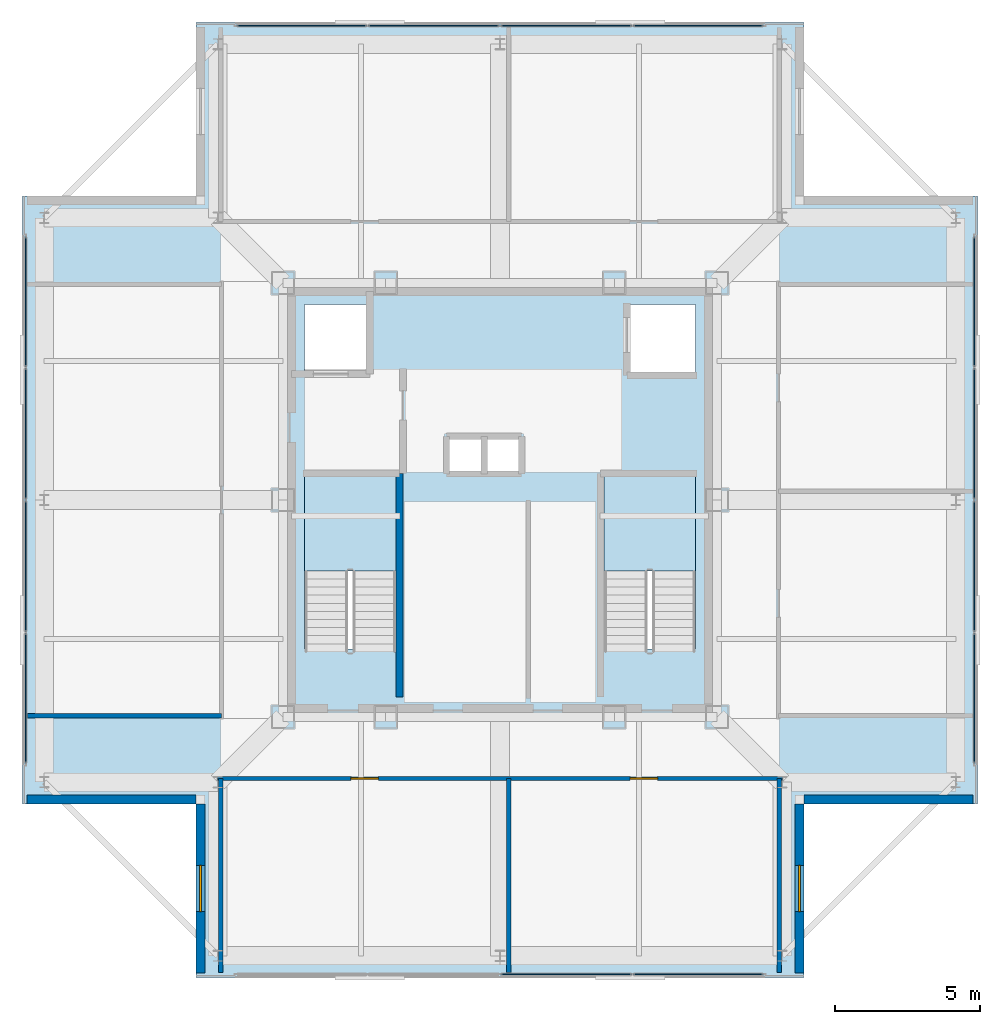
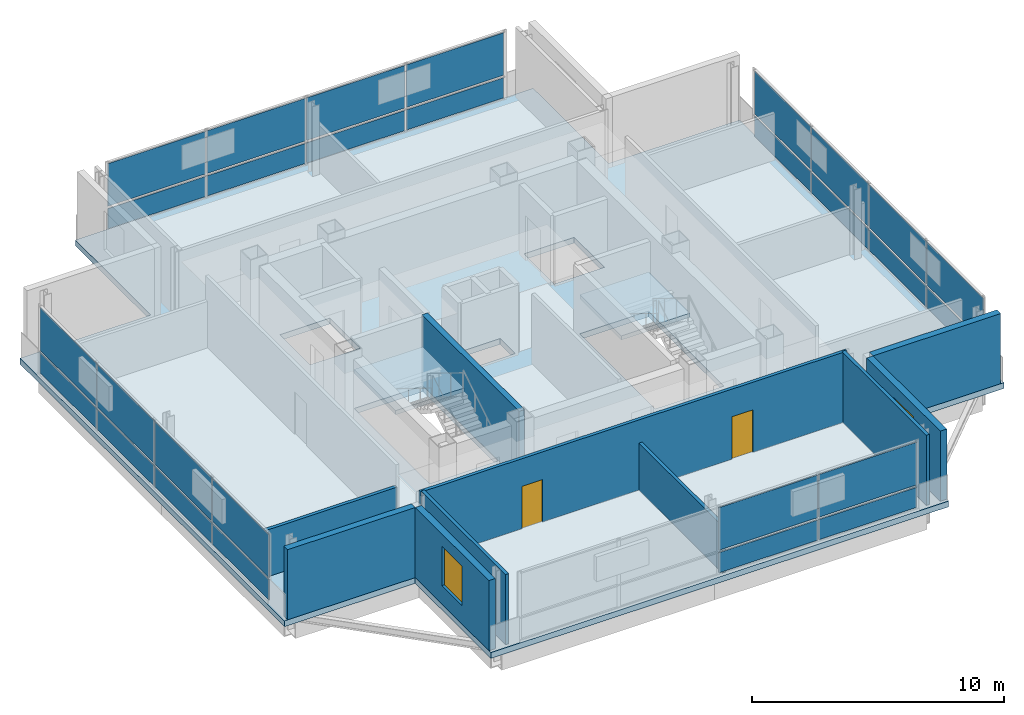
# One storey, part 7 of 11: 28 plates, 10 walls, 3 slabs, 2 doors, 2 windows, 4 openings, 6 elements without a shape of their own.
"""IFC4 building model written with IfcOpenShell, lengths in metres."""

from ifc_helpers import new_model, si_unit, direction, frame, frame_2d, origin, origin_2d, place, context, subcontext, project, spatial, polyline, rectangle, outline, extrude, material, layer, layer_set, type_object, element, fill, aggregate, save


model = new_model("IFC4")

# Units and contexts
model_context = context("Model", 3, precision=1e-05, world=origin(), true_north=direction((0.0, 1.0)))
body_context = subcontext(model_context, "Body", "Model", "MODEL_VIEW")
ifc_project = project(units=[si_unit("LENGTHUNIT", "METRE"), si_unit("AREAUNIT", "SQUARE_METRE"), si_unit("VOLUMEUNIT", "CUBIC_METRE"), si_unit("PLANEANGLEUNIT", "RADIAN"), si_unit("MASSUNIT", "GRAM", prefix="KILO")], contexts=[model_context])

# Site, building, storey
site_placement = place(None, origin())
site = spatial("IfcSite", under=ifc_project, at=site_placement, CompositionType="ELEMENT")
building_placement = place(site_placement, origin())
building = spatial("IfcBuilding", under=site, at=building_placement, Name="Trevonay Congress Spire", CompositionType="ELEMENT")
storey_placement = place(building_placement, frame((0.0, 0.0, 312.199951171875)))
storey = spatial("IfcBuildingStorey", under=building, at=storey_placement, Name="L82", CompositionType="ELEMENT", Elevation=312.199951171875)

# Curtain wall, plates
ifc_material_1 = material(Name="Pale Anodised Aluminium EN AW-6063-T6", Category="aluminium")
ifc_layer_1 = layer(ifc_material_1, 0.159912109375, Name="Pale Anodised Aluminium EN AW-6063-T6")
ifc_layer_set_1 = layer_set([ifc_layer_1], Name="Pale Anodised Aluminium EN AW-6063-T6")
curtain_wall_type = type_object("IfcCurtainWallType", Name="CW-SYS06-CROWN-PALE-METAL", PredefinedType="NOTDEFINED", material=ifc_layer_set_1)
curtain_wall_1_placement = place(storey_placement, origin())
curtain_wall_1 = element("IfcCurtainWall", 1, at=curtain_wall_1_placement, inside=storey, type_object=curtain_wall_type, Name="L82 S unitised curtain wall", PredefinedType="NOTDEFINED")
ifc_material_2 = material(Name="Insulated Low-E Vision Glass IGU", Category="glass")
ifc_layer_2 = layer(ifc_material_2, 0.035888671875, Name="Insulated Low-E Vision Glass IGU")
ifc_layer_set_2 = layer_set([ifc_layer_2], Name="Insulated Low-E Vision Glass IGU")
plate_type = type_object("IfcPlateType", Name="CW-PANEL-IGU36-SILVER", PredefinedType="CURTAIN_PANEL", material=ifc_layer_set_2)
plate_1_placement = place(storey_placement, frame((2.28759765625, -16.3798828125, 0.1201171875), z_axis=(0.0, 0.0, 1.0), x_axis=(1.0, 0.0, 0.0)))
plate_1 = element("IfcPlate", 2, at=plate_1_placement, type_object=plate_type, Name="CW06 panel 3.1", PredefinedType="CURTAIN_PANEL", context=body_context, shape_type="SweptSolid", body=[
    extrude(rectangle(XDim=4.514892578125, YDim=0.035888671875, at=origin_2d()), origin(), (0.0, 0.0, 1.0), 0.97607421875),
])
plate_2_placement = place(storey_placement, frame((2.28759765625, -16.3798828125, 1.216064453125), z_axis=(0.0, 0.0, 1.0), x_axis=(1.0, 0.0, 0.0)))
plate_2 = element("IfcPlate", 3, at=plate_2_placement, type_object=plate_type, Name="CW06 panel 3.2", PredefinedType="CURTAIN_PANEL", context=body_context, shape_type="SweptSolid", body=[
    extrude(rectangle(XDim=4.514892578125, YDim=0.035888671875, at=origin_2d()), origin(), (0.0, 0.0, 1.0), 2.06396484375),
])
plate_3_placement = place(storey_placement, frame((6.847412109375, -16.3798828125, 0.1201171875), z_axis=(0.0, 0.0, 1.0), x_axis=(1.0, 0.0, 0.0)))
plate_3 = element("IfcPlate", 4, at=plate_3_placement, type_object=plate_type, Name="CW06 panel 4.1", PredefinedType="CURTAIN_PANEL", context=body_context, shape_type="SweptSolid", body=[
    extrude(rectangle(XDim=4.485107421875, YDim=0.035888671875, at=origin_2d()), origin(), (0.0, 0.0, 1.0), 0.97607421875),
])
plate_4_placement = place(storey_placement, frame((6.847412109375, -16.3798828125, 1.216064453125), z_axis=(0.0, 0.0, 1.0), x_axis=(1.0, 0.0, 0.0)))
plate_4 = element("IfcPlate", 5, at=plate_4_placement, type_object=plate_type, Name="CW06 panel 4.2", PredefinedType="CURTAIN_PANEL", context=body_context, shape_type="SweptSolid", body=[
    extrude(rectangle(XDim=4.485107421875, YDim=0.035888671875, at=origin_2d()), origin(), (0.0, 0.0, 1.0), 2.06396484375),
])
aggregate(curtain_wall_1, [plate_1, plate_2, plate_3, plate_4])

curtain_wall_2_placement = place(storey_placement, origin())
curtain_wall_2 = element("IfcCurtainWall", 6, at=curtain_wall_2_placement, inside=storey, type_object=curtain_wall_type, Name="L82 N unitised curtain wall", PredefinedType="NOTDEFINED")
plate_5_placement = place(storey_placement, frame((-6.847412109375, 16.3798828125, 0.1201171875), z_axis=(0.0, 0.0, 1.0), x_axis=(1.0, 0.0, 0.0)))
plate_5 = element("IfcPlate", 7, at=plate_5_placement, type_object=plate_type, Name="CW06 panel 1.1", PredefinedType="CURTAIN_PANEL", context=body_context, shape_type="SweptSolid", body=[
    extrude(rectangle(XDim=4.485107421875, YDim=0.035888671875, at=origin_2d()), origin(), (0.0, 0.0, 1.0), 0.97607421875),
])
plate_6_placement = place(storey_placement, frame((-6.847412109375, 16.3798828125, 1.216064453125), z_axis=(0.0, 0.0, 1.0), x_axis=(1.0, 0.0, 0.0)))
plate_6 = element("IfcPlate", 8, at=plate_6_placement, type_object=plate_type, Name="CW06 panel 1.2", PredefinedType="CURTAIN_PANEL", context=body_context, shape_type="SweptSolid", body=[
    extrude(rectangle(XDim=4.485107421875, YDim=0.035888671875, at=origin_2d()), origin(), (0.0, 0.0, 1.0), 2.06396484375),
])
plate_7_placement = place(storey_placement, frame((-2.28759765625, 16.3798828125, 0.1201171875), z_axis=(0.0, 0.0, 1.0), x_axis=(1.0, 0.0, 0.0)))
plate_7 = element("IfcPlate", 9, at=plate_7_placement, type_object=plate_type, Name="CW06 panel 2.1", PredefinedType="CURTAIN_PANEL", context=body_context, shape_type="SweptSolid", body=[
    extrude(rectangle(XDim=4.514892578125, YDim=0.035888671875, at=origin_2d()), origin(), (0.0, 0.0, 1.0), 0.97607421875),
])
plate_8_placement = place(storey_placement, frame((-2.28759765625, 16.3798828125, 1.216064453125), z_axis=(0.0, 0.0, 1.0), x_axis=(1.0, 0.0, 0.0)))
plate_8 = element("IfcPlate", 10, at=plate_8_placement, type_object=plate_type, Name="CW06 panel 2.2", PredefinedType="CURTAIN_PANEL", context=body_context, shape_type="SweptSolid", body=[
    extrude(rectangle(XDim=4.514892578125, YDim=0.035888671875, at=origin_2d()), origin(), (0.0, 0.0, 1.0), 2.06396484375),
])
plate_9_placement = place(storey_placement, frame((2.28759765625, 16.3798828125, 0.1201171875), z_axis=(0.0, 0.0, 1.0), x_axis=(1.0, 0.0, 0.0)))
plate_9 = element("IfcPlate", 11, at=plate_9_placement, type_object=plate_type, Name="CW06 panel 3.1", PredefinedType="CURTAIN_PANEL", context=body_context, shape_type="SweptSolid", body=[
    extrude(rectangle(XDim=4.514892578125, YDim=0.035888671875, at=origin_2d()), origin(), (0.0, 0.0, 1.0), 0.97607421875),
])
plate_10_placement = place(storey_placement, frame((2.28759765625, 16.3798828125, 1.216064453125), z_axis=(0.0, 0.0, 1.0), x_axis=(1.0, 0.0, 0.0)))
plate_10 = element("IfcPlate", 12, at=plate_10_placement, type_object=plate_type, Name="CW06 panel 3.2", PredefinedType="CURTAIN_PANEL", context=body_context, shape_type="SweptSolid", body=[
    extrude(rectangle(XDim=4.514892578125, YDim=0.035888671875, at=origin_2d()), origin(), (0.0, 0.0, 1.0), 2.06396484375),
])
plate_11_placement = place(storey_placement, frame((6.847412109375, 16.3798828125, 0.1201171875), z_axis=(0.0, 0.0, 1.0), x_axis=(1.0, 0.0, 0.0)))
plate_11 = element("IfcPlate", 13, at=plate_11_placement, type_object=plate_type, Name="CW06 panel 4.1", PredefinedType="CURTAIN_PANEL", context=body_context, shape_type="SweptSolid", body=[
    extrude(rectangle(XDim=4.485107421875, YDim=0.035888671875, at=origin_2d()), origin(), (0.0, 0.0, 1.0), 0.97607421875),
])
plate_12_placement = place(storey_placement, frame((6.847412109375, 16.3798828125, 1.216064453125), z_axis=(0.0, 0.0, 1.0), x_axis=(1.0, 0.0, 0.0)))
plate_12 = element("IfcPlate", 14, at=plate_12_placement, type_object=plate_type, Name="CW06 panel 4.2", PredefinedType="CURTAIN_PANEL", context=body_context, shape_type="SweptSolid", body=[
    extrude(rectangle(XDim=4.485107421875, YDim=0.035888671875, at=origin_2d()), origin(), (0.0, 0.0, 1.0), 2.06396484375),
])
aggregate(curtain_wall_2, [plate_5, plate_6, plate_7, plate_8, plate_9, plate_10, plate_11, plate_12])

curtain_wall_3_placement = place(storey_placement, origin())
curtain_wall_3 = element("IfcCurtainWall", 15, at=curtain_wall_3_placement, inside=storey, type_object=curtain_wall_type, Name="L82 W unitised curtain wall", PredefinedType="NOTDEFINED")
plate_13_placement = place(storey_placement, frame((-16.3798828125, -6.847412109375, 0.1201171875), z_axis=(0.0, 0.0, 1.0), x_axis=(0.0, 1.0, 0.0)))
plate_13 = element("IfcPlate", 16, at=plate_13_placement, type_object=plate_type, Name="CW06 panel 1.1", PredefinedType="CURTAIN_PANEL", context=body_context, shape_type="SweptSolid", body=[
    extrude(rectangle(XDim=4.485107421875, YDim=0.035888671875, at=origin_2d()), origin(), (0.0, 0.0, 1.0), 0.97607421875),
])
plate_14_placement = place(storey_placement, frame((-16.3798828125, -6.847412109375, 1.216064453125), z_axis=(0.0, 0.0, 1.0), x_axis=(0.0, 1.0, 0.0)))
plate_14 = element("IfcPlate", 17, at=plate_14_placement, type_object=plate_type, Name="CW06 panel 1.2", PredefinedType="CURTAIN_PANEL", context=body_context, shape_type="SweptSolid", body=[
    extrude(rectangle(XDim=4.485107421875, YDim=0.035888671875, at=origin_2d()), origin(), (0.0, 0.0, 1.0), 2.06396484375),
])
plate_15_placement = place(storey_placement, frame((-16.3798828125, -2.28759765625, 0.1201171875), z_axis=(0.0, 0.0, 1.0), x_axis=(0.0, 1.0, 0.0)))
plate_15 = element("IfcPlate", 18, at=plate_15_placement, type_object=plate_type, Name="CW06 panel 2.1", PredefinedType="CURTAIN_PANEL", context=body_context, shape_type="SweptSolid", body=[
    extrude(rectangle(XDim=4.514892578125, YDim=0.035888671875, at=origin_2d()), origin(), (0.0, 0.0, 1.0), 0.97607421875),
])
plate_16_placement = place(storey_placement, frame((-16.3798828125, -2.28759765625, 1.216064453125), z_axis=(0.0, 0.0, 1.0), x_axis=(0.0, 1.0, 0.0)))
plate_16 = element("IfcPlate", 19, at=plate_16_placement, type_object=plate_type, Name="CW06 panel 2.2", PredefinedType="CURTAIN_PANEL", context=body_context, shape_type="SweptSolid", body=[
    extrude(rectangle(XDim=4.514892578125, YDim=0.035888671875, at=origin_2d()), origin(), (0.0, 0.0, 1.0), 2.06396484375),
])
plate_17_placement = place(storey_placement, frame((-16.3798828125, 2.28759765625, 0.1201171875), z_axis=(0.0, 0.0, 1.0), x_axis=(0.0, 1.0, 0.0)))
plate_17 = element("IfcPlate", 20, at=plate_17_placement, type_object=plate_type, Name="CW06 panel 3.1", PredefinedType="CURTAIN_PANEL", context=body_context, shape_type="SweptSolid", body=[
    extrude(rectangle(XDim=4.514892578125, YDim=0.035888671875, at=origin_2d()), origin(), (0.0, 0.0, 1.0), 0.97607421875),
])
plate_18_placement = place(storey_placement, frame((-16.3798828125, 2.28759765625, 1.216064453125), z_axis=(0.0, 0.0, 1.0), x_axis=(0.0, 1.0, 0.0)))
plate_18 = element("IfcPlate", 21, at=plate_18_placement, type_object=plate_type, Name="CW06 panel 3.2", PredefinedType="CURTAIN_PANEL", context=body_context, shape_type="SweptSolid", body=[
    extrude(rectangle(XDim=4.514892578125, YDim=0.035888671875, at=origin_2d()), origin(), (0.0, 0.0, 1.0), 2.06396484375),
])
plate_19_placement = place(storey_placement, frame((-16.3798828125, 6.847412109375, 0.1201171875), z_axis=(0.0, 0.0, 1.0), x_axis=(0.0, 1.0, 0.0)))
plate_19 = element("IfcPlate", 22, at=plate_19_placement, type_object=plate_type, Name="CW06 panel 4.1", PredefinedType="CURTAIN_PANEL", context=body_context, shape_type="SweptSolid", body=[
    extrude(rectangle(XDim=4.485107421875, YDim=0.035888671875, at=origin_2d()), origin(), (0.0, 0.0, 1.0), 0.97607421875),
])
plate_20_placement = place(storey_placement, frame((-16.3798828125, 6.847412109375, 1.216064453125), z_axis=(0.0, 0.0, 1.0), x_axis=(0.0, 1.0, 0.0)))
plate_20 = element("IfcPlate", 23, at=plate_20_placement, type_object=plate_type, Name="CW06 panel 4.2", PredefinedType="CURTAIN_PANEL", context=body_context, shape_type="SweptSolid", body=[
    extrude(rectangle(XDim=4.485107421875, YDim=0.035888671875, at=origin_2d()), origin(), (0.0, 0.0, 1.0), 2.06396484375),
])
aggregate(curtain_wall_3, [plate_13, plate_14, plate_15, plate_16, plate_17, plate_18, plate_19, plate_20])

curtain_wall_4_placement = place(storey_placement, origin())
curtain_wall_4 = element("IfcCurtainWall", 24, at=curtain_wall_4_placement, inside=storey, type_object=curtain_wall_type, Name="L82 E unitised curtain wall", PredefinedType="NOTDEFINED")
plate_21_placement = place(storey_placement, frame((16.3798828125, -6.847412109375, 0.1201171875), z_axis=(0.0, 0.0, 1.0), x_axis=(0.0, 1.0, 0.0)))
plate_21 = element("IfcPlate", 25, at=plate_21_placement, type_object=plate_type, Name="CW06 panel 1.1", PredefinedType="CURTAIN_PANEL", context=body_context, shape_type="SweptSolid", body=[
    extrude(rectangle(XDim=4.485107421875, YDim=0.035888671875, at=origin_2d()), origin(), (0.0, 0.0, 1.0), 0.97607421875),
])
plate_22_placement = place(storey_placement, frame((16.3798828125, -6.847412109375, 1.216064453125), z_axis=(0.0, 0.0, 1.0), x_axis=(0.0, 1.0, 0.0)))
plate_22 = element("IfcPlate", 26, at=plate_22_placement, type_object=plate_type, Name="CW06 panel 1.2", PredefinedType="CURTAIN_PANEL", context=body_context, shape_type="SweptSolid", body=[
    extrude(rectangle(XDim=4.485107421875, YDim=0.035888671875, at=origin_2d()), origin(), (0.0, 0.0, 1.0), 2.06396484375),
])
plate_23_placement = place(storey_placement, frame((16.3798828125, -2.28759765625, 0.1201171875), z_axis=(0.0, 0.0, 1.0), x_axis=(0.0, 1.0, 0.0)))
plate_23 = element("IfcPlate", 27, at=plate_23_placement, type_object=plate_type, Name="CW06 panel 2.1", PredefinedType="CURTAIN_PANEL", context=body_context, shape_type="SweptSolid", body=[
    extrude(rectangle(XDim=4.514892578125, YDim=0.035888671875, at=origin_2d()), origin(), (0.0, 0.0, 1.0), 0.97607421875),
])
plate_24_placement = place(storey_placement, frame((16.3798828125, -2.28759765625, 1.216064453125), z_axis=(0.0, 0.0, 1.0), x_axis=(0.0, 1.0, 0.0)))
plate_24 = element("IfcPlate", 28, at=plate_24_placement, type_object=plate_type, Name="CW06 panel 2.2", PredefinedType="CURTAIN_PANEL", context=body_context, shape_type="SweptSolid", body=[
    extrude(rectangle(XDim=4.514892578125, YDim=0.035888671875, at=origin_2d()), origin(), (0.0, 0.0, 1.0), 2.06396484375),
])
plate_25_placement = place(storey_placement, frame((16.3798828125, 2.28759765625, 0.1201171875), z_axis=(0.0, 0.0, 1.0), x_axis=(0.0, 1.0, 0.0)))
plate_25 = element("IfcPlate", 29, at=plate_25_placement, type_object=plate_type, Name="CW06 panel 3.1", PredefinedType="CURTAIN_PANEL", context=body_context, shape_type="SweptSolid", body=[
    extrude(rectangle(XDim=4.514892578125, YDim=0.035888671875, at=origin_2d()), origin(), (0.0, 0.0, 1.0), 0.97607421875),
])
plate_26_placement = place(storey_placement, frame((16.3798828125, 2.28759765625, 1.216064453125), z_axis=(0.0, 0.0, 1.0), x_axis=(0.0, 1.0, 0.0)))
plate_26 = element("IfcPlate", 30, at=plate_26_placement, type_object=plate_type, Name="CW06 panel 3.2", PredefinedType="CURTAIN_PANEL", context=body_context, shape_type="SweptSolid", body=[
    extrude(rectangle(XDim=4.514892578125, YDim=0.035888671875, at=origin_2d()), origin(), (0.0, 0.0, 1.0), 2.06396484375),
])
plate_27_placement = place(storey_placement, frame((16.3798828125, 6.847412109375, 0.1201171875), z_axis=(0.0, 0.0, 1.0), x_axis=(0.0, 1.0, 0.0)))
plate_27 = element("IfcPlate", 31, at=plate_27_placement, type_object=plate_type, Name="CW06 panel 4.1", PredefinedType="CURTAIN_PANEL", context=body_context, shape_type="SweptSolid", body=[
    extrude(rectangle(XDim=4.485107421875, YDim=0.035888671875, at=origin_2d()), origin(), (0.0, 0.0, 1.0), 0.97607421875),
])
plate_28_placement = place(storey_placement, frame((16.3798828125, 6.847412109375, 1.216064453125), z_axis=(0.0, 0.0, 1.0), x_axis=(0.0, 1.0, 0.0)))
plate_28 = element("IfcPlate", 32, at=plate_28_placement, type_object=plate_type, Name="CW06 panel 4.2", PredefinedType="CURTAIN_PANEL", context=body_context, shape_type="SweptSolid", body=[
    extrude(rectangle(XDim=4.485107421875, YDim=0.035888671875, at=origin_2d()), origin(), (0.0, 0.0, 1.0), 2.06396484375),
])
aggregate(curtain_wall_4, [plate_21, plate_22, plate_23, plate_24, plate_25, plate_26, plate_27, plate_28])

# Slab
ifc_material_3 = material(Name="Concrete C40/50", Category="concrete")
ifc_layer_3 = layer(ifc_material_3, 0.280029296875, Name="Concrete C40/50")
ifc_layer_set_3 = layer_set([ifc_layer_3], Name="Concrete C40/50")
slab_type_1 = type_object("IfcSlabType", Name="SLB-CROWN-280", PredefinedType="FLOOR", material=ifc_layer_set_3)
slab_1_placement = place(storey_placement, frame((0.0, 0.0, -0.280029296875)))
element("IfcSlab", 33, at=slab_1_placement, inside=storey, type_object=slab_type_1, Name="L82 structural floor slab", PredefinedType="FLOOR", context=body_context, shape_type="SweptSolid", body=[
    extrude(outline(polyline([(-10.5, -16.5), (10.5, -16.5), (10.5, -10.5), (16.5, -10.5), (16.5, 10.5), (10.5, 10.5), (10.5, 16.5), (-10.5, 16.5), (-10.5, 10.5), (-16.5, 10.5), (-16.5, -10.5), (-10.5, -10.5), (-10.5, -16.5)]), holes=[polyline([(-3.60009765625, -5.14990234375), (-3.60009765625, 0.85009765625), (-6.75, 0.85009765625), (-6.75, -5.14990234375), (-3.60009765625, -5.14990234375)]), polyline([(6.75, -5.14990234375), (6.75, 0.85009765625), (3.60009765625, 0.85009765625), (3.60009765625, -5.14990234375), (6.75, -5.14990234375)]), polyline([(-6.75, 4.35009765625), (-4.449951171875, 4.35009765625), (-4.449951171875, 6.75), (-6.75, 6.75), (-6.75, 4.35009765625)]), polyline([(4.449951171875, 4.35009765625), (6.75, 4.35009765625), (6.75, 6.75), (4.449951171875, 6.75), (4.449951171875, 4.35009765625)]), polyline([(-1.800048828125, 0.949951171875), (0.699951171875, 0.949951171875), (0.699951171875, 2.14990234375), (-1.800048828125, 2.14990234375), (-1.800048828125, 0.949951171875)])]), origin(), (0.0, 0.0, 1.0), 0.280029296875),
])

# Stair, slab
stair_type_1 = type_object("IfcStairType", Name="STR-ST-1", PredefinedType="HALF_TURN_STAIR", material=ifc_material_3)
stair_1_placement = place(storey_placement, origin())
stair_1 = element("IfcStair", 34, at=stair_1_placement, inside=storey, type_object=stair_type_1, Name="L82 Protected Exit Stair ST-1", PredefinedType="HALF_TURN_STAIR")
ifc_layer_4 = layer(ifc_material_3, 0.199951171875, Name="Concrete C40/50")
ifc_layer_set_4 = layer_set([ifc_layer_4], Name="Concrete C40/50")
slab_type_2 = type_object("IfcSlabType", Name="SLB-STAIR-LAND-200", PredefinedType="LANDING", material=ifc_layer_set_4)
slab_2_placement = place(storey_placement, frame((0.0, 0.0, 1.699951171875)))
slab_2 = element("IfcSlab", 35, at=slab_2_placement, type_object=slab_type_2, Name="ST-1 landing 1", PredefinedType="LANDING", context=body_context, shape_type="SweptSolid", body=[
    extrude(outline(polyline([(-3.60009765625, -2.449951171875), (-3.60009765625, 0.85009765625), (-6.75, 0.85009765625), (-6.75, -2.449951171875), (-3.60009765625, -2.449951171875)])), origin(), (0.0, 0.0, 1.0), 0.2001953125),
])
aggregate(stair_1, [slab_2])

stair_type_2 = type_object("IfcStairType", Name="STR-ST-2", PredefinedType="HALF_TURN_STAIR", material=ifc_material_3)
stair_2_placement = place(storey_placement, origin())
stair_2 = element("IfcStair", 36, at=stair_2_placement, inside=storey, type_object=stair_type_2, Name="L82 Protected Exit Stair ST-2", PredefinedType="HALF_TURN_STAIR")
slab_3_placement = place(storey_placement, frame((0.0, 0.0, 1.699951171875)))
slab_3 = element("IfcSlab", 37, at=slab_3_placement, type_object=slab_type_2, Name="ST-2 landing 1", PredefinedType="LANDING", context=body_context, shape_type="SweptSolid", body=[
    extrude(outline(polyline([(6.75, -2.449951171875), (6.75, 0.85009765625), (3.60009765625, 0.85009765625), (3.60009765625, -2.449951171875), (6.75, -2.449951171875)])), origin(), (0.0, 0.0, 1.0), 0.2001953125),
])
aggregate(stair_2, [slab_3])

# Wall, openings, doors
ifc_layer_5 = layer(ifc_material_3, 0.14990234375, Name="Concrete C40/50")
ifc_layer_set_5 = layer_set([ifc_layer_5], Name="Concrete C40/50")
wall_type_1 = type_object("IfcWallType", Name="WAL-CORR-150", PredefinedType="PARTITIONING", material=ifc_layer_set_5)
wall_1_placement = place(storey_placement, frame((-9.77001953125, -9.6201171875, 0.0), z_axis=(0.0, 0.0, 1.0), x_axis=(1.0, 0.0, 0.0)))
wall_1 = element("IfcWall", 38, at=wall_1_placement, inside=storey, type_object=wall_type_1, Name="L82 interior wall WP-L82S-COR", PredefinedType="PARTITIONING", context=body_context, shape_type="SweptSolid", body=[
    extrude(rectangle(XDim=19.5400390625, YDim=0.14990234375, at=frame_2d((9.77001953125, 0.0))), origin(), (0.0, 0.0, 1.0), 3.400146484375),
])
opening_1_placement = place(wall_1_placement, frame((4.6201171875, 0.0, 0.0)))
opening_1 = element("IfcOpeningElement", 39, at=opening_1_placement, cuts=wall_1, Name="Opening D07", PredefinedType="OPENING", context=body_context, shape_type="SweptSolid", body=[
    extrude(rectangle(XDim=0.949951171875, YDim=2.06005859375, at=frame_2d((0.47509765625, 1.030029296875))), frame((0.0, 0.0849609375, 0.0), z_axis=(0.0, -1.0, 0.0), x_axis=(1.0, 0.0, 0.0)), (0.0, 0.0, 1.0), 0.169921875),
])
opening_2_placement = place(wall_1_placement, frame((14.27001953125, 0.0, 0.0)))
opening_2 = element("IfcOpeningElement", 40, at=opening_2_placement, cuts=wall_1, Name="Opening D07", PredefinedType="OPENING", context=body_context, shape_type="SweptSolid", body=[
    extrude(rectangle(XDim=0.949951171875, YDim=2.06005859375, at=frame_2d((0.47509765625, 1.030029296875))), frame((0.0, 0.0849609375, 0.0), z_axis=(0.0, -1.0, 0.0), x_axis=(1.0, 0.0, 0.0)), (0.0, 0.0, 1.0), 0.169921875),
])
door_type = type_object("IfcDoorType", Name="DOR-OFFICE-95", OperationType="NOTDEFINED", PredefinedType="DOOR", material=ifc_material_1)
door_1_placement = place(opening_1_placement, origin())
door_1 = element("IfcDoor", 41, at=door_1_placement, inside=storey, type_object=door_type, Name="L82 Tuned Mass Damper Chamber South Door", OperationType="SINGLE_SWING_LEFT", OverallHeight=2.06005859375, OverallWidth=0.949951171875, PredefinedType="DOOR", context=body_context, shape_type="SweptSolid", body=[
    extrude(rectangle(XDim=0.949951171875, YDim=2.06005859375, at=frame_2d((0.47509765625, 1.030029296875))), frame((0.0, 0.02490234375, 0.0), z_axis=(0.0, -1.0, 0.0), x_axis=(1.0, 0.0, 0.0)), (0.0, 0.0, 1.0), 0.050048828125),
])
fill(opening_1, door_1)
door_2_placement = place(opening_2_placement, origin())
door_2 = element("IfcDoor", 42, at=door_2_placement, inside=storey, type_object=door_type, Name="L82 Damper Hydraulic Control Plant Door", OperationType="SINGLE_SWING_RIGHT", OverallHeight=2.06005859375, OverallWidth=0.949951171875, PredefinedType="DOOR", context=body_context, shape_type="SweptSolid", body=[
    extrude(rectangle(XDim=0.949951171875, YDim=2.06005859375, at=frame_2d((0.47509765625, 1.030029296875))), frame((0.0, 0.02490234375, 0.0), z_axis=(0.0, -1.0, 0.0), x_axis=(1.0, 0.0, 0.0)), (0.0, 0.0, 1.0), 0.050048828125),
])
fill(opening_2, door_2)

# Wall, opening, window
ifc_material_4 = material(Name="Precast concrete C40/50", Category="concrete")
ifc_layer_6 = layer(ifc_material_4, 0.300048828125, Name="Precast concrete C40/50")
ifc_layer_set_6 = layer_set([ifc_layer_6], Name="Precast concrete C40/50")
wall_type_2 = type_object("IfcWallType", Name="WAL-EXT-PRECAST-300", PredefinedType="SOLIDWALL", material=ifc_layer_set_6)
wall_2_placement = place(storey_placement, frame((-10.35009765625, -16.35009765625, 0.0), z_axis=(0.0, 0.0, 1.0), x_axis=(0.0, 1.0, 0.0)))
wall_2 = element("IfcWall", 43, at=wall_2_placement, inside=storey, type_object=wall_type_2, Name="L82 SW re-entrant notch exterior wall 1", PredefinedType="SOLIDWALL", context=body_context, shape_type="SweptSolid", body=[
    extrude(rectangle(XDim=5.85009765625, YDim=0.300048828125, at=frame_2d((2.925048828125, 0.0))), origin(), (0.0, 0.0, 1.0), 3.400146484375),
])
opening_3_placement = place(wall_2_placement, frame((2.125, 0.0, 0.89990234375)))
opening_3 = element("IfcOpeningElement", 44, at=opening_3_placement, cuts=wall_2, Name="Opening WN04", PredefinedType="OPENING", context=body_context, shape_type="SweptSolid", body=[
    extrude(rectangle(XDim=1.60009765625, YDim=1.89990234375, at=frame_2d((0.800048828125, 0.949951171875))), frame((0.0, 0.16015625, 0.0), z_axis=(0.0, -1.0, 0.0), x_axis=(1.0, 0.0, 0.0)), (0.0, 0.0, 1.0), 0.320068359375),
])
window_type = type_object("IfcWindowType", Name="WIN-CROWN-160X190", PartitioningType="SINGLE_PANEL", PredefinedType="WINDOW", material=ifc_material_2)
window_1_placement = place(opening_3_placement, origin())
window_1 = element("IfcWindow", 45, at=window_1_placement, inside=storey, type_object=window_type, Name="L82 SW corner notch window", OverallHeight=1.89990234375, OverallWidth=1.60009765625, PartitioningType="SINGLE_PANEL", PredefinedType="WINDOW", context=body_context, shape_type="SweptSolid", body=[
    extrude(rectangle(XDim=1.60009765625, YDim=1.89990234375, at=frame_2d((0.800048828125, 0.949951171875))), frame((0.0, 0.030029296875, 0.0), z_axis=(0.0, -1.0, 0.0), x_axis=(1.0, 0.0, 0.0)), (0.0, 0.0, 1.0), 0.06005859375),
])
fill(opening_3, window_1)

# Wall
wall_3_placement = place(storey_placement, frame((-16.35009765625, -10.35009765625, 0.0), z_axis=(0.0, 0.0, 1.0), x_axis=(1.0, 0.0, 0.0)))
element("IfcWall", 46, at=wall_3_placement, inside=storey, type_object=wall_type_2, Name="L82 SW re-entrant notch exterior wall 2", PredefinedType="SOLIDWALL", context=body_context, shape_type="SweptSolid", body=[
    extrude(rectangle(XDim=5.85009765625, YDim=0.300048828125, at=frame_2d((2.925048828125, 0.0))), origin(), (0.0, 0.0, 1.0), 3.400146484375),
])

# Wall, opening, window
wall_4_placement = place(storey_placement, frame((10.35009765625, -16.35009765625, 0.0), z_axis=(0.0, 0.0, 1.0), x_axis=(0.0, 1.0, 0.0)))
wall_4 = element("IfcWall", 47, at=wall_4_placement, inside=storey, type_object=wall_type_2, Name="L82 SE re-entrant notch exterior wall 1", PredefinedType="SOLIDWALL", context=body_context, shape_type="SweptSolid", body=[
    extrude(rectangle(XDim=5.85009765625, YDim=0.300048828125, at=frame_2d((2.925048828125, 0.0))), origin(), (0.0, 0.0, 1.0), 3.400146484375),
])
opening_4_placement = place(wall_4_placement, frame((2.125, 0.0, 0.89990234375)))
opening_4 = element("IfcOpeningElement", 48, at=opening_4_placement, cuts=wall_4, Name="Opening WN04", PredefinedType="OPENING", context=body_context, shape_type="SweptSolid", body=[
    extrude(rectangle(XDim=1.60009765625, YDim=1.89990234375, at=frame_2d((0.800048828125, 0.949951171875))), frame((0.0, 0.16015625, 0.0), z_axis=(0.0, -1.0, 0.0), x_axis=(1.0, 0.0, 0.0)), (0.0, 0.0, 1.0), 0.320068359375),
])
window_2_placement = place(opening_4_placement, origin())
window_2 = element("IfcWindow", 49, at=window_2_placement, inside=storey, type_object=window_type, Name="L82 SE corner notch window", OverallHeight=1.89990234375, OverallWidth=1.60009765625, PartitioningType="SINGLE_PANEL", PredefinedType="WINDOW", context=body_context, shape_type="SweptSolid", body=[
    extrude(rectangle(XDim=1.60009765625, YDim=1.89990234375, at=frame_2d((0.800048828125, 0.949951171875))), frame((0.0, 0.030029296875, 0.0), z_axis=(0.0, -1.0, 0.0), x_axis=(1.0, 0.0, 0.0)), (0.0, 0.0, 1.0), 0.06005859375),
])
fill(opening_4, window_2)

# Walls
wall_5_placement = place(storey_placement, frame((16.35009765625, -10.35009765625, 0.0), z_axis=(0.0, 0.0, 1.0), x_axis=(-1.0, 0.0, 0.0)))
element("IfcWall", 50, at=wall_5_placement, inside=storey, type_object=wall_type_2, Name="L82 SE re-entrant notch exterior wall 2", PredefinedType="SOLIDWALL", context=body_context, shape_type="SweptSolid", body=[
    extrude(rectangle(XDim=5.85009765625, YDim=0.300048828125, at=frame_2d((2.925048828125, 0.0))), origin(), (0.0, 0.0, 1.0), 3.400146484375),
])
ifc_layer_7 = layer(ifc_material_3, 0.14990234375, Name="Concrete C40/50")
ifc_layer_set_7 = layer_set([ifc_layer_7], Name="Concrete C40/50")
wall_type_3 = type_object("IfcWallType", Name="WAL-PART-150", PredefinedType="PARTITIONING", material=ifc_layer_set_7)
wall_6_placement = place(storey_placement, frame((-9.64990234375, -16.320068359375, 0.0), z_axis=(0.0, 0.0, 1.0), x_axis=(0.0, 1.0, 0.0)))
element("IfcWall", 51, at=wall_6_placement, inside=storey, type_object=wall_type_3, Name="L82 interior wall WP-L82S-DIV1", PredefinedType="PARTITIONING", context=body_context, shape_type="SweptSolid", body=[
    extrude(rectangle(XDim=6.699951171875, YDim=0.14990234375, at=frame_2d((3.35009765625, 0.0))), origin(), (0.0, 0.0, 1.0), 3.400146484375),
])
wall_7_placement = place(storey_placement, frame((0.300048828125, -16.320068359375, 0.0), z_axis=(0.0, 0.0, 1.0), x_axis=(0.0, 1.0, 0.0)))
element("IfcWall", 52, at=wall_7_placement, inside=storey, type_object=wall_type_3, Name="L82 interior wall WP-L82S-DIV2", PredefinedType="PARTITIONING", context=body_context, shape_type="SweptSolid", body=[
    extrude(rectangle(XDim=6.699951171875, YDim=0.14990234375, at=frame_2d((3.35009765625, 0.0))), origin(), (0.0, 0.0, 1.0), 2.275146484375),
])
wall_8_placement = place(storey_placement, frame((9.64990234375, -16.320068359375, 0.0), z_axis=(0.0, 0.0, 1.0), x_axis=(0.0, 1.0, 0.0)))
element("IfcWall", 53, at=wall_8_placement, inside=storey, type_object=wall_type_3, Name="L82 interior wall WP-L82S-DIV3", PredefinedType="PARTITIONING", context=body_context, shape_type="SweptSolid", body=[
    extrude(rectangle(XDim=6.699951171875, YDim=0.14990234375, at=frame_2d((3.35009765625, 0.0))), origin(), (0.0, 0.0, 1.0), 3.400146484375),
])
wall_9_placement = place(storey_placement, frame((-16.320068359375, -7.449951171875, 0.0), z_axis=(0.0, 0.0, 1.0), x_axis=(1.0, 0.0, 0.0)))
element("IfcWall", 54, at=wall_9_placement, inside=storey, type_object=wall_type_3, Name="L82 interior wall WP-L82W-DIV1", PredefinedType="PARTITIONING", context=body_context, shape_type="SweptSolid", body=[
    extrude(rectangle(XDim=6.699951171875, YDim=0.14990234375, at=frame_2d((3.35009765625, 0.0))), origin(), (0.0, 0.0, 1.0), 2.275146484375),
])
ifc_layer_8 = layer(ifc_material_3, 0.25, Name="Concrete C40/50")
ifc_layer_set_8 = layer_set([ifc_layer_8], Name="Concrete C40/50")
wall_type_4 = type_object("IfcWallType", Name="WAL-SHAFT-LB-250", PredefinedType="SHEAR", material=ifc_layer_set_8)
wall_10_placement = place(storey_placement, frame((-3.469970703125, -6.800048828125, 0.0), z_axis=(0.0, 0.0, 1.0), x_axis=(0.0, 1.0, 0.0)))
element("IfcWall", 55, at=wall_10_placement, inside=storey, type_object=wall_type_4, Name="L82 interior shaft wall WSH-L82-ST1-E", PredefinedType="SHEAR", context=body_context, shape_type="SweptSolid", body=[
    extrude(rectangle(XDim=7.719970703125, YDim=0.25, at=frame_2d((3.85986328125, 0.0))), origin(), (0.0, 0.0, 1.0), 3.400146484375),
])

save(model, "model.ifc")
